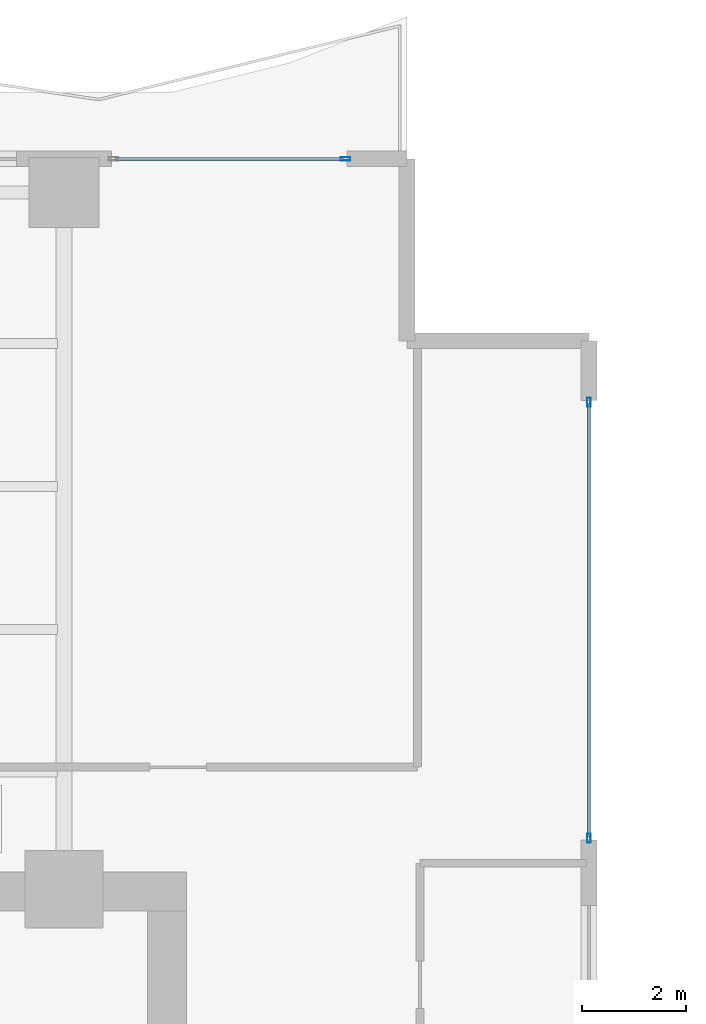
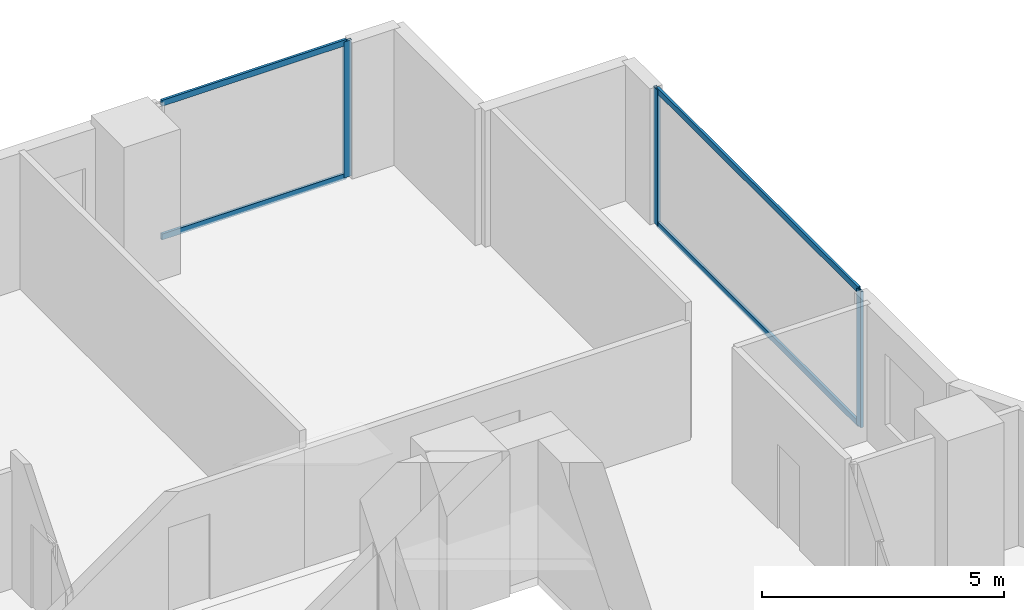
# One storey, part 18 of 27: 7 members, 2 elements without a shape of their own.
"""IFC4 building model written with IfcOpenShell, lengths in metres."""

from ifc_helpers import new_model, si_unit, direction, frame, origin, origin_2d, place, context, subcontext, project, spatial, hollow_rectangle, extrude, material, layer, layer_set, material_profile, profile_set, type_object, element, aggregate, save


model = new_model("IFC4")

# Units and contexts
model_context = context("Model", 3, precision=1e-05, world=origin(), true_north=direction((0.0, 1.0)))
body_context = subcontext(model_context, "Body", "Model", "MODEL_VIEW")
ifc_project = project(units=[si_unit("LENGTHUNIT", "METRE"), si_unit("AREAUNIT", "SQUARE_METRE"), si_unit("VOLUMEUNIT", "CUBIC_METRE"), si_unit("PLANEANGLEUNIT", "RADIAN"), si_unit("MASSUNIT", "GRAM", prefix="KILO")], contexts=[model_context])

# Site, building, storey
site_placement = place(None, origin())
site = spatial("IfcSite", under=ifc_project, at=site_placement, CompositionType="ELEMENT")
building_placement = place(site_placement, origin())
building = spatial("IfcBuilding", under=site, at=building_placement, Name="Zuhayl Quay Hotel", CompositionType="ELEMENT")
storey_placement = place(building_placement, frame((0.0, 0.0, 124.85009765625)))
storey = spatial("IfcBuildingStorey", under=building, at=storey_placement, Name="L31", CompositionType="ELEMENT", Elevation=124.85009765625)

# Curtain wall, member
ifc_material_1 = material(Name="Anodised Aluminium 6063-T6", Category="aluminium")
ifc_layer = layer(ifc_material_1, 0.179931640625, Name="Anodised Aluminium 6063-T6", Category="aluminium")
ifc_layer_set = layer_set([ifc_layer], Name="Anodised Aluminium 6063-T6")
curtain_wall_type = type_object("IfcCurtainWallType", Name="CW_SYS_Z2", PredefinedType="USERDEFINED", material=ifc_layer_set)
curtain_wall_1_placement = place(storey_placement, origin())
curtain_wall_1 = element("IfcCurtainWall", 1, at=curtain_wall_1_placement, inside=storey, type_object=curtain_wall_type, Name="L31 Curtain Wall ENV_L31_N_CW4", ObjectType="UNITISED CURTAIN WALL", PredefinedType="USERDEFINED")
ifc_material_2 = material(Name="Black-anodised aluminium 6063-T6", Category="aluminium")
ifc_material_profile_1 = material_profile(ifc_material_2, hollow_rectangle(XDim=0.06494140625, YDim=0.179931640625, WallThickness=0.00341796875, at=origin_2d()), Name="ALU180X65")
ifc_profile_set_1 = profile_set([ifc_material_profile_1], Name="Black-anodised aluminium 6063-T6")
member_type_1 = type_object("IfcMemberType", Name="MB_CW_MUL_180", PredefinedType="MULLION", material=ifc_profile_set_1)
member_1_placement = place(storey_placement, frame((19.217529296875, 28.39990234375, 0.0), z_axis=(0.0, 0.0, 1.0), x_axis=(0.0, 1.0, 0.0)))
member_1 = element("IfcMember", 2, at=member_1_placement, type_object=member_type_1, Name="CW-Z2 mullion 2", PredefinedType="MULLION", context=body_context, shape_type="SweptSolid", body=[
    extrude(hollow_rectangle(XDim=0.06494140625, YDim=0.179931640625, WallThickness=0.00341796875, at=origin_2d()), origin(), (0.0, 0.0, 1.0), 3.429931640625),
])

# Curtain wall, members
curtain_wall_2_placement = place(storey_placement, origin())
curtain_wall_2 = element("IfcCurtainWall", 3, at=curtain_wall_2_placement, inside=storey, type_object=curtain_wall_type, Name="L31 Curtain Wall ENV_L31_E11_CW1", ObjectType="UNITISED CURTAIN WALL", PredefinedType="USERDEFINED")
member_2_placement = place(storey_placement, frame((23.89990234375, 23.717529296875, 0.0), z_axis=(0.0, 0.0, 1.0), x_axis=(1.0, 0.0, 0.0)))
member_2 = element("IfcMember", 4, at=member_2_placement, type_object=member_type_1, Name="CW-Z2 mullion 1", PredefinedType="MULLION", context=body_context, shape_type="SweptSolid", body=[
    extrude(hollow_rectangle(XDim=0.06494140625, YDim=0.179931640625, WallThickness=0.00341796875, at=origin_2d()), origin(), (0.0, 0.0, 1.0), 3.429931640625),
])
member_3_placement = place(storey_placement, frame((23.89990234375, 15.33251953125, 0.0), z_axis=(0.0, 0.0, 1.0), x_axis=(1.0, 0.0, 0.0)))
member_3 = element("IfcMember", 5, at=member_3_placement, type_object=member_type_1, Name="CW-Z2 mullion 2", PredefinedType="MULLION", context=body_context, shape_type="SweptSolid", body=[
    extrude(hollow_rectangle(XDim=0.06494140625, YDim=0.179931640625, WallThickness=0.00341796875, at=origin_2d()), origin(), (0.0, 0.0, 1.0), 3.429931640625),
])

# Member
ifc_material_profile_2 = material_profile(ifc_material_2, hollow_rectangle(XDim=0.06005859375, YDim=0.14990234375, WallThickness=0.00341796875, at=origin_2d()), Name="ALU150X60")
ifc_profile_set_2 = profile_set([ifc_material_profile_2], Name="Black-anodised aluminium 6063-T6")
member_type_2 = type_object("IfcMemberType", Name="MB_CW_TRN_150", PredefinedType="USERDEFINED", material=ifc_profile_set_2)
member_4_placement = place(storey_placement, frame((14.784912109375, 28.39990234375, 0.02978515625), z_axis=(1.0, 0.0, 0.0), x_axis=(0.0, 1.0, 0.0)))
member_4 = element("IfcMember", 6, at=member_4_placement, type_object=member_type_2, Name="CW-Z2 transom 1.1", ObjectType="TRANSOM", PredefinedType="USERDEFINED", context=body_context, shape_type="SweptSolid", body=[
    extrude(hollow_rectangle(XDim=0.06005859375, YDim=0.14990234375, WallThickness=0.00341796875, at=origin_2d()), origin(), (0.0, 0.0, 1.0), 4.400146484375),
])

member_5_placement = place(storey_placement, frame((14.784912109375, 28.39990234375, 3.39990234375), z_axis=(1.0, 0.0, 0.0), x_axis=(0.0, 1.0, 0.0)))
member_5 = element("IfcMember", 7, at=member_5_placement, type_object=member_type_2, Name="CW-Z2 transom 1.2", ObjectType="TRANSOM", PredefinedType="USERDEFINED", context=body_context, shape_type="SweptSolid", body=[
    extrude(hollow_rectangle(XDim=0.06005859375, YDim=0.14990234375, WallThickness=0.00341796875, at=origin_2d()), origin(), (0.0, 0.0, 1.0), 4.400146484375),
])

aggregate(curtain_wall_1, [member_1, member_4, member_5])

member_6_placement = place(storey_placement, frame((23.89990234375, 23.68505859375, 0.02978515625), z_axis=(0.0, -1.0, 0.0), x_axis=(1.0, 0.0, 0.0)))
member_6 = element("IfcMember", 8, at=member_6_placement, type_object=member_type_2, Name="CW-Z2 transom 1.1", ObjectType="TRANSOM", PredefinedType="USERDEFINED", context=body_context, shape_type="SweptSolid", body=[
    extrude(hollow_rectangle(XDim=0.06005859375, YDim=0.14990234375, WallThickness=0.00341796875, at=origin_2d()), origin(), (0.0, 0.0, 1.0), 8.320068359375),
])

member_7_placement = place(storey_placement, frame((23.89990234375, 23.68505859375, 3.39990234375), z_axis=(0.0, -1.0, 0.0), x_axis=(1.0, 0.0, 0.0)))
member_7 = element("IfcMember", 9, at=member_7_placement, type_object=member_type_2, Name="CW-Z2 transom 1.2", ObjectType="TRANSOM", PredefinedType="USERDEFINED", context=body_context, shape_type="SweptSolid", body=[
    extrude(hollow_rectangle(XDim=0.06005859375, YDim=0.14990234375, WallThickness=0.00341796875, at=origin_2d()), origin(), (0.0, 0.0, 1.0), 8.320068359375),
])

aggregate(curtain_wall_2, [member_2, member_3, member_6, member_7])

save(model, "model.ifc")
